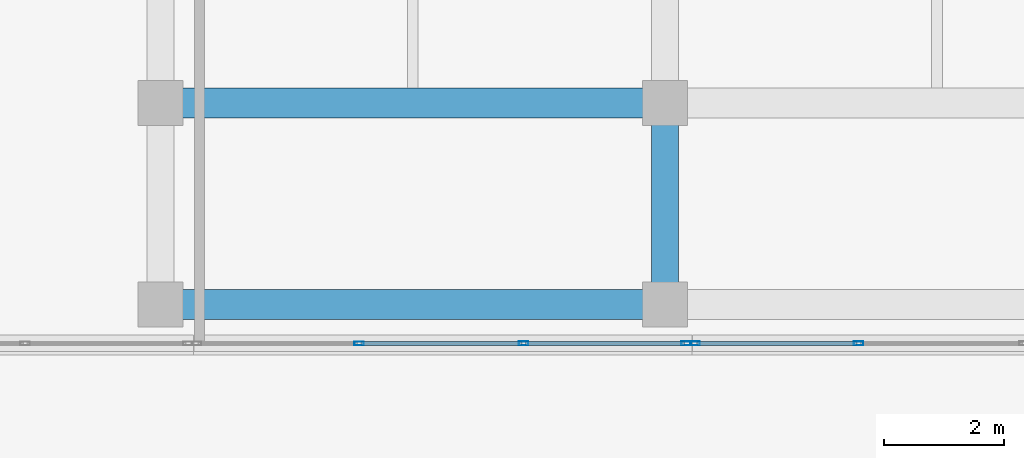
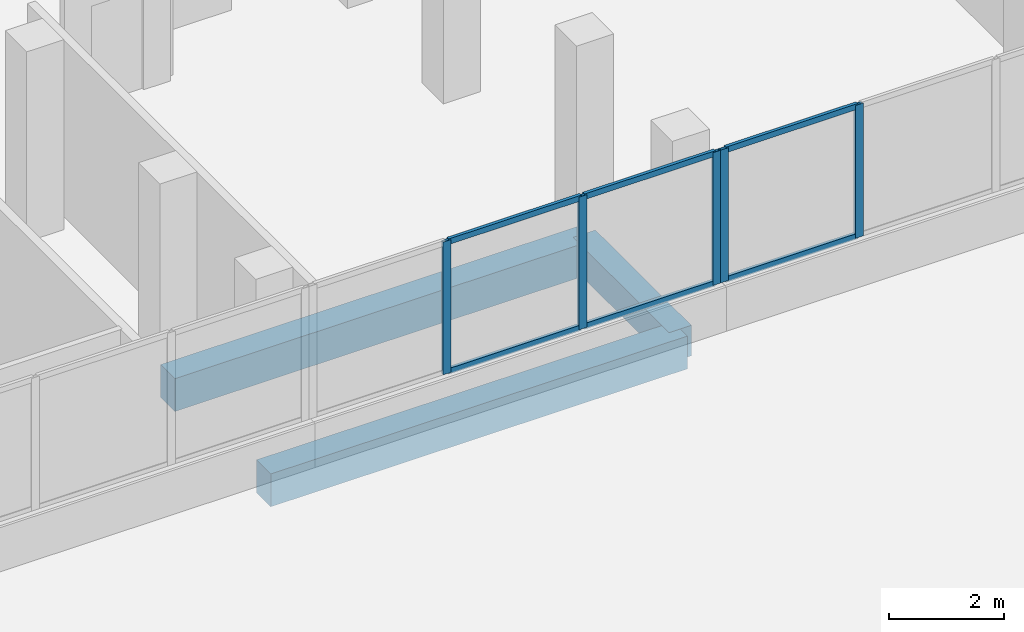
# One storey, part 58 of 101: 11 members, 3 beams, 2 elements without a shape of their own.
"""IFC4 building model written with IfcOpenShell, lengths in metres."""

import ifcopenshell
import ifcopenshell.guid

model = None  # the IFC model being written
_history = None  # IfcOwnerHistory: only IFC2X3 demands one
_inside = {}  # id of a spatial element -> (the spatial element, [elements in it])
_under = {}  # id of a project, library or spatial element -> (it, [spatial elements below it])
_declared = {}  # id of a project -> (the project, [libraries it declares])
_typed = {}  # id of a type object -> (the type object, [elements of that type])
_made_of = {}  # id of a material, layer set ... -> (it, [elements and type objects made of it])


def new_model(schema):
    """Start an empty IFC model of exactly this schema.

    Asked for "IFC4X3", IfcOpenShell would pick the latest addendum, in which some entities
    have other attributes; the version numbers below select the first issue.
    IFC2X3 requires an IfcOwnerHistory on every rooted entity: one is made here for all.
    """
    global model, _history
    if schema == "IFC4X3":
        model = ifcopenshell.file(schema_version=(4, 3, 0, 0))
    else:
        model = ifcopenshell.file(schema=schema)
    _inside.clear()
    _under.clear()
    _declared.clear()
    _typed.clear()
    _made_of.clear()
    _history = None
    if model.schema == "IFC2X3":
        org = make("IfcOrganization", Name="unknown")
        user = make(
            "IfcPersonAndOrganization",
            ThePerson=make("IfcPerson", FamilyName="unknown"),
            TheOrganization=org,
        )
        app = make(
            "IfcApplication",
            ApplicationDeveloper=org,
            Version="unknown",
            ApplicationFullName="unknown",
            ApplicationIdentifier="unknown",
        )
        _history = make(
            "IfcOwnerHistory",
            OwningUser=user,
            OwningApplication=app,
            ChangeAction="ADDED",
            CreationDate=0,
        )
    return model


def make(cls, **values):
    """One entity of the class cls with the attributes given. An attribute that is None is left unset."""
    return model.create_entity(
        cls, **{name: value for name, value in values.items() if value is not None}
    )


def rooted(cls, **values):
    """An entity with a GlobalId (a new one), such as an element, a storey or a relation."""
    return make(cls, GlobalId=ifcopenshell.guid.new(), OwnerHistory=_history, **values)


def si_unit(unit_type, name, prefix=None):
    """IfcSIUnit, for example si_unit("LENGTHUNIT", "METRE", prefix="MILLI")."""
    return make("IfcSIUnit", UnitType=unit_type, Prefix=prefix, Name=name)


def assignment(units):
    """IfcUnitAssignment: the units of a project."""
    return None if units is None else make("IfcUnitAssignment", Units=units)


def point(xyz):
    """IfcCartesianPoint."""
    return None if xyz is None else make("IfcCartesianPoint", Coordinates=xyz)


def direction(xyz):
    """IfcDirection."""
    return None if xyz is None else make("IfcDirection", DirectionRatios=xyz)


def frame(location, z_axis=None, x_axis=None):
    """IfcAxis2Placement3D, a coordinate frame: its origin and axes. An axis left out is left unset."""
    return make(
        "IfcAxis2Placement3D",
        Location=point(location),
        Axis=direction(z_axis),
        RefDirection=direction(x_axis),
    )


def frame_2d(location, x_axis=None):
    """IfcAxis2Placement2D, a coordinate frame in the plane: its origin and x axis."""
    return make(
        "IfcAxis2Placement2D", Location=point(location), RefDirection=direction(x_axis)
    )


def origin():
    """The frame at (0, 0, 0) with its axes left unset."""
    return frame((0.0, 0.0, 0.0))


def origin_2d():
    """The frame at (0, 0) in the plane with its x axis left unset."""
    return frame_2d((0.0, 0.0))


def place(relative_to, where):
    """IfcLocalPlacement: puts the frame where relative to a parent placement (None: the world)."""
    return make(
        "IfcLocalPlacement", PlacementRelTo=relative_to, RelativePlacement=where
    )


def context(
    kind, dimensions, precision=None, world=None, true_north=None, identifier=None
):
    """IfcGeometricRepresentationContext, for example the 3D "Model" context."""
    return make(
        "IfcGeometricRepresentationContext",
        ContextIdentifier=identifier,
        ContextType=kind,
        CoordinateSpaceDimension=dimensions,
        Precision=precision,
        WorldCoordinateSystem=world,
        TrueNorth=true_north,
    )


def subcontext(parent, identifier, kind, view, scale=None):
    """IfcGeometricRepresentationSubContext, for example "Body" below "Model"."""
    return make(
        "IfcGeometricRepresentationSubContext",
        ContextIdentifier=identifier,
        ContextType=kind,
        ParentContext=parent,
        TargetScale=scale,
        TargetView=view,
    )


def project(units=None, contexts=None):
    """IfcProject with its units and contexts."""
    return rooted(
        "IfcProject",
        Name="project",
        RepresentationContexts=contexts,
        UnitsInContext=assignment(units),
    )


def spatial(cls, under=None, at=None, **own):
    """A site, building, storey or space (cls), placed at a placement, below another one or the project."""
    s = rooted(cls, ObjectPlacement=at, **own)
    if under is not None:
        _under.setdefault(under.id(), (under, []))[1].append(s)
    return s


def profile(cls, at=None, kind="AREA", **sizes):
    """A parametric profile (cls). Its sizes go by their IFC names, for example OverallWidth=200.0."""
    return make(cls, ProfileType=kind, Position=at, **sizes)


def rectangle(**sizes):
    """IfcRectangleProfileDef."""
    return profile("IfcRectangleProfileDef", **sizes)


def hollow_rectangle(**sizes):
    """IfcRectangleHollowProfileDef."""
    return profile("IfcRectangleHollowProfileDef", **sizes)


def extrude(swept, where, along, depth):
    """IfcExtrudedAreaSolid: the profile swept, set in the frame where, extruded along a direction by depth."""
    return make(
        "IfcExtrudedAreaSolid",
        SweptArea=swept,
        Position=where,
        ExtrudedDirection=direction(along),
        Depth=depth,
    )


def shape(context_of_items, identifier, shape_type, items):
    """IfcShapeRepresentation: the items that make up one representation, for example the "Body"."""
    return make(
        "IfcShapeRepresentation",
        ContextOfItems=context_of_items,
        RepresentationIdentifier=identifier,
        RepresentationType=shape_type,
        Items=items,
    )


def material(Name=None, Category=None):
    """IfcMaterial."""
    return make("IfcMaterial", Name=Name, Category=Category)


def material_profile(
    of_material, cross_section, Name=None, Category=None, Priority=None
):
    """IfcMaterialProfile: a cross section and its material."""
    return make(
        "IfcMaterialProfile",
        Name=Name,
        Material=of_material,
        Profile=cross_section,
        Priority=Priority,
        Category=Category,
    )


def profile_set(profiles, Name=None, composite=None):
    """IfcMaterialProfileSet."""
    return make(
        "IfcMaterialProfileSet",
        Name=Name,
        MaterialProfiles=profiles,
        CompositeProfile=composite,
    )


def made_of(thing, what):
    """Note that an element or type object is made of a material, layer set ...; save() writes the relation."""
    if what is not None:
        _made_of.setdefault(what.id(), (what, []))[1].append(thing)
    return thing


def type_object(cls, material=None, **own):
    """A type object (cls), such as IfcWallType, which elements share."""
    return made_of(rooted(cls, **own), material)


def element(
    cls,
    number,
    at=None,
    inside=None,
    cuts=None,
    type_object=None,
    material=None,
    context=None,
    identifier="Body",
    shape_type=None,
    held_by="IfcProductDefinitionShape",
    body=None,
    shapes=None,
    **own,
):
    """One element of the class cls, such as IfcWall. Its Tag is "e" and its number.

    at: its placement. inside: the storey or other place that contains it. cuts: it is an
    opening in that element (IfcRelVoidsElement). A single representation is given by context,
    identifier, shape_type and body (its items); several are given by shapes. held_by: the class
    of the entity that holds the representations. save() writes the other relations.
    """
    e = rooted(cls, Tag="e%d" % number, ObjectPlacement=at, **own)
    if body is not None:
        shapes = [shape(context, identifier, shape_type, body)]
    if shapes is not None:
        e.Representation = make(held_by, Representations=shapes)
    if inside is not None:
        _inside.setdefault(inside.id(), (inside, []))[1].append(e)
    if cuts is not None:
        rooted(
            "IfcRelVoidsElement", RelatingBuildingElement=cuts, RelatedOpeningElement=e
        )
    if type_object is not None:
        _typed.setdefault(type_object.id(), (type_object, []))[1].append(e)
    return made_of(e, material)


def aggregate(whole, parts):
    """IfcRelAggregates: a whole, such as a stair, and the parts it consists of."""
    return rooted("IfcRelAggregates", RelatingObject=whole, RelatedObjects=parts)


def save(model, path):
    """Write the relations noted so far, then the file.

    IfcRelAggregates (storeys below a building ...), IfcRelContainedInSpatialStructure (elements
    in a storey), IfcRelDefinesByType, IfcRelAssociatesMaterial and IfcRelDeclares: one each for
    every whole, place, type object, material and project.
    """
    for whole, parts in _under.values():
        aggregate(whole, parts)
    for where, things in _inside.values():
        rooted(
            "IfcRelContainedInSpatialStructure",
            RelatedElements=things,
            RelatingStructure=where,
        )
    for kind, things in _typed.values():
        rooted("IfcRelDefinesByType", RelatedObjects=things, RelatingType=kind)
    for what, things in _made_of.values():
        rooted("IfcRelAssociatesMaterial", RelatedObjects=things, RelatingMaterial=what)
    for by, libraries in _declared.values():
        rooted("IfcRelDeclares", RelatingContext=by, RelatedDefinitions=libraries)
    model.write(path)


model = new_model("IFC4")

# Units and contexts
model_context = context("Model", 3, precision=1e-05, world=origin(), true_north=direction((0.0, 1.0)))
body_context = subcontext(model_context, "Body", "Model", "MODEL_VIEW")
ifc_project = project(units=[si_unit("LENGTHUNIT", "METRE"), si_unit("AREAUNIT", "SQUARE_METRE"), si_unit("VOLUMEUNIT", "CUBIC_METRE"), si_unit("PLANEANGLEUNIT", "RADIAN"), si_unit("MASSUNIT", "GRAM", prefix="KILO")], contexts=[model_context])

# Site, building, storey
site_placement = place(None, origin())
site = spatial("IfcSite", under=ifc_project, at=site_placement, CompositionType="ELEMENT")
building_placement = place(site_placement, origin())
building = spatial("IfcBuilding", under=site, at=building_placement, Name="Selatvlak General Hospital", CompositionType="ELEMENT")
storey_placement = place(building_placement, frame((0.0, 0.0, 19.199951171875)))
storey = spatial("IfcBuildingStorey", under=building, at=storey_placement, Name="L04", CompositionType="ELEMENT", Elevation=19.199951171875)

# Beams
ifc_material_1 = material(Name="Concrete C40/50", Category="concrete")
ifc_material_profile_1 = material_profile(ifc_material_1, rectangle(XDim=0.5, YDim=0.699951171875, at=origin_2d()), Name="RC-BM 500x700")
ifc_profile_set_1 = profile_set([ifc_material_profile_1], Name="Concrete C40/50")
beam_type_1 = type_object("IfcBeamType", Name="BM-G03", PredefinedType="BEAM", material=ifc_profile_set_1)
for number, where, z_axis, x_axis, name in (
    (1, (156.550048828125, 64.64990234375, -0.655029296875), (1.0, 0.0, 0.0), (0.0, 1.0, 0.0), "Beam BMR-L04-1506"),
    (2, (156.550048828125, 68.0, -0.655029296875), (1.0, 0.0, 0.0), (0.0, 1.0, 0.0), "Beam BMR-L04-1513"),
):
    element("IfcBeam", number, at=place(storey_placement, frame(where, z_axis=z_axis, x_axis=x_axis)), inside=storey, type_object=beam_type_1, Name=name, PredefinedType="BEAM", context=body_context, shape_type="SweptSolid", body=[
        extrude(rectangle(XDim=0.5, YDim=0.699951171875, at=origin_2d()), origin(), (0.0, 0.0, 1.0), 8.39990234375),
    ])
ifc_material_profile_2 = material_profile(ifc_material_1, rectangle(XDim=0.449951171875, YDim=0.64990234375, at=origin_2d()), Name="RC-BM 450x650")
ifc_profile_set_2 = profile_set([ifc_material_profile_2], Name="Concrete C40/50")
beam_type_2 = type_object("IfcBeamType", Name="BM-G04", PredefinedType="BEAM", material=ifc_profile_set_2)
beam_placement = place(storey_placement, frame((164.949951171875, 64.64990234375, -0.6298828125), z_axis=(0.0, 1.0, 0.0), x_axis=(-1.0, 0.0, 0.0)))
element("IfcBeam", 3, at=beam_placement, inside=storey, type_object=beam_type_2, Name="Beam BMR-L04-1749", PredefinedType="BEAM", context=body_context, shape_type="SweptSolid", body=[
    extrude(rectangle(XDim=0.449951171875, YDim=0.64990234375, at=origin_2d()), origin(), (0.0, 0.0, 1.0), 3.35009765625),
])

# Curtain wall, members
ifc_material_2 = material(Name="Solar-control Low-E double glazing", Category="glass")
curtain_wall_type_1 = type_object("IfcCurtainWallType", Name="CW-CW-01", PredefinedType="USERDEFINED", material=ifc_material_2)
curtain_wall_1_placement = place(storey_placement, origin())
curtain_wall_1 = element("IfcCurtainWall", 4, at=curtain_wall_1_placement, inside=storey, type_object=curtain_wall_type_1, Name="Glazed facade curtain wall CW-L04-0507", ObjectType="UNITISED CURTAIN WALL", PredefinedType="USERDEFINED")
ifc_material_3 = material(Name="Dark anodised aluminium mullion", Category="aluminium")
ifc_material_profile_3 = material_profile(ifc_material_3, hollow_rectangle(XDim=0.06494140625, YDim=0.159912109375, WallThickness=0.00390625, at=origin_2d()), Name="AL-MUL 65x160x4")
ifc_profile_set_3 = profile_set([ifc_material_profile_3], Name="Dark anodised aluminium mullion")
member_type_1 = type_object("IfcMemberType", Name="CWM-01", PredefinedType="MULLION", material=ifc_profile_set_3)
member_1_placement = place(storey_placement, frame((168.171630859375, 64.0009765625, 0.93994140625), z_axis=(0.0, 0.0, 1.0), x_axis=(0.0, -1.0, 0.0)))
member_1 = element("IfcMember", 5, at=member_1_placement, type_object=member_type_1, Name="CW-01 mullion 3", PredefinedType="MULLION", context=body_context, shape_type="SweptSolid", body=[
    extrude(hollow_rectangle(XDim=0.06494140625, YDim=0.159912109375, WallThickness=0.00390625, at=origin_2d()), origin(), (0.0, 0.0, 1.0), 2.830078125),
])
member_2_placement = place(storey_placement, frame((165.447509765625, 64.0009765625, 0.93994140625), z_axis=(0.0, 0.0, 1.0), x_axis=(0.0, -1.0, 0.0)))
member_2 = element("IfcMember", 6, at=member_2_placement, type_object=member_type_1, Name="CW-01 mullion 4", PredefinedType="MULLION", context=body_context, shape_type="SweptSolid", body=[
    extrude(hollow_rectangle(XDim=0.06494140625, YDim=0.159912109375, WallThickness=0.00390625, at=origin_2d()), origin(), (0.0, 0.0, 1.0), 2.830078125),
])

curtain_wall_type_2 = type_object("IfcCurtainWallType", Name="CW-CW-02", PredefinedType="USERDEFINED", material=ifc_material_2)
curtain_wall_2_placement = place(storey_placement, origin())
curtain_wall_2 = element("IfcCurtainWall", 7, at=curtain_wall_2_placement, inside=storey, type_object=curtain_wall_type_2, Name="Glazed facade curtain wall CW-L04-0508", ObjectType="UNITISED CURTAIN WALL", PredefinedType="USERDEFINED")
member_3_placement = place(storey_placement, frame((165.302490234375, 64.0009765625, 0.93994140625), z_axis=(0.0, 0.0, 1.0), x_axis=(0.00012166931, -0.999999992598, 0.0)))
member_3 = element("IfcMember", 8, at=member_3_placement, type_object=member_type_1, Name="CW-02 mullion 1", PredefinedType="MULLION", context=body_context, shape_type="SweptSolid", body=[
    extrude(hollow_rectangle(XDim=0.06494140625, YDim=0.159912109375, WallThickness=0.00390625, at=origin_2d()), origin(), (0.0, 0.0, 1.0), 2.830078125),
])
member_4_placement = place(storey_placement, frame((162.59521484375, 64.000732421875, 0.93994140625), z_axis=(0.0, 0.0, 1.0), x_axis=(0.00012166931, -0.999999992598, 0.0)))
member_4 = element("IfcMember", 9, at=member_4_placement, type_object=member_type_1, Name="CW-02 mullion 2", PredefinedType="MULLION", context=body_context, shape_type="SweptSolid", body=[
    extrude(hollow_rectangle(XDim=0.06494140625, YDim=0.159912109375, WallThickness=0.00390625, at=origin_2d()), origin(), (0.0, 0.0, 1.0), 2.830078125),
])
member_5_placement = place(storey_placement, frame((159.855712890625, 64.000244140625, 0.93994140625), z_axis=(0.0, 0.0, 1.0), x_axis=(0.00012166931, -0.999999992598, 0.0)))
member_5 = element("IfcMember", 10, at=member_5_placement, type_object=member_type_1, Name="CW-02 mullion 3", PredefinedType="MULLION", context=body_context, shape_type="SweptSolid", body=[
    extrude(hollow_rectangle(XDim=0.06494140625, YDim=0.159912109375, WallThickness=0.00390625, at=origin_2d()), origin(), (0.0, 0.0, 1.0), 2.830078125),
])

# Member
ifc_material_profile_4 = material_profile(ifc_material_3, hollow_rectangle(XDim=0.06494140625, YDim=0.1201171875, WallThickness=0.00390625, at=origin_2d()), Name="AL-TRN 65x120x4")
ifc_profile_set_4 = profile_set([ifc_material_profile_4], Name="Dark anodised aluminium mullion")
member_type_2 = type_object("IfcMemberType", Name="CWT-01", PredefinedType="USERDEFINED", material=ifc_profile_set_4)
member_6_placement = place(storey_placement, frame((168.13916015625, 64.0009765625, 0.97265625), z_axis=(-1.0, 0.0, 0.0), x_axis=(0.0, -1.0, 0.0)))
member_6 = element("IfcMember", 11, at=member_6_placement, type_object=member_type_2, Name="CW-01 transom 3.1", ObjectType="TRANSOM", PredefinedType="USERDEFINED", context=body_context, shape_type="SweptSolid", body=[
    extrude(hollow_rectangle(XDim=0.06494140625, YDim=0.1201171875, WallThickness=0.00390625, at=origin_2d()), origin(), (0.0, 0.0, 1.0), 2.6591796875),
])

member_7_placement = place(storey_placement, frame((168.13916015625, 64.0009765625, 3.737548828125), z_axis=(-1.0, 0.0, 0.0), x_axis=(0.0, -1.0, 0.0)))
member_7 = element("IfcMember", 12, at=member_7_placement, type_object=member_type_2, Name="CW-01 transom 3.2", ObjectType="TRANSOM", PredefinedType="USERDEFINED", context=body_context, shape_type="SweptSolid", body=[
    extrude(hollow_rectangle(XDim=0.06494140625, YDim=0.1201171875, WallThickness=0.00390625, at=origin_2d()), origin(), (0.0, 0.0, 1.0), 2.6591796875),
])

aggregate(curtain_wall_1, [member_1, member_2, member_6, member_7])

member_8_placement = place(storey_placement, frame((165.27001953125, 64.0009765625, 0.97265625), z_axis=(-0.999999995731, -9.2404361e-05, 0.0), x_axis=(9.2404361e-05, -0.999999995731, 0.0)))
member_8 = element("IfcMember", 13, at=member_8_placement, type_object=member_type_2, Name="CW-02 transom 1.1", ObjectType="TRANSOM", PredefinedType="USERDEFINED", context=body_context, shape_type="SweptSolid", body=[
    extrude(hollow_rectangle(XDim=0.06494140625, YDim=0.1201171875, WallThickness=0.00390625, at=origin_2d()), origin(), (0.0, 0.0, 1.0), 2.64208984375),
])

member_9_placement = place(storey_placement, frame((165.27001953125, 64.0009765625, 3.737548828125), z_axis=(-0.999999995731, -9.2404361e-05, 0.0), x_axis=(9.2404361e-05, -0.999999995731, 0.0)))
member_9 = element("IfcMember", 14, at=member_9_placement, type_object=member_type_2, Name="CW-02 transom 1.2", ObjectType="TRANSOM", PredefinedType="USERDEFINED", context=body_context, shape_type="SweptSolid", body=[
    extrude(hollow_rectangle(XDim=0.06494140625, YDim=0.1201171875, WallThickness=0.00390625, at=origin_2d()), origin(), (0.0, 0.0, 1.0), 2.64208984375),
])

member_10_placement = place(storey_placement, frame((162.562744140625, 64.000732421875, 0.97265625), z_axis=(-0.999999983335, -0.000182565036, 0.0), x_axis=(0.000182565036, -0.999999983335, 0.0)))
member_10 = element("IfcMember", 15, at=member_10_placement, type_object=member_type_2, Name="CW-02 transom 2.1", ObjectType="TRANSOM", PredefinedType="USERDEFINED", context=body_context, shape_type="SweptSolid", body=[
    extrude(hollow_rectangle(XDim=0.06494140625, YDim=0.1201171875, WallThickness=0.00390625, at=origin_2d()), origin(), (0.0, 0.0, 1.0), 2.674560546875),
])

member_11_placement = place(storey_placement, frame((162.562744140625, 64.000732421875, 3.737548828125), z_axis=(-0.999999983335, -0.000182565036, 0.0), x_axis=(0.000182565036, -0.999999983335, 0.0)))
member_11 = element("IfcMember", 16, at=member_11_placement, type_object=member_type_2, Name="CW-02 transom 2.2", ObjectType="TRANSOM", PredefinedType="USERDEFINED", context=body_context, shape_type="SweptSolid", body=[
    extrude(hollow_rectangle(XDim=0.06494140625, YDim=0.1201171875, WallThickness=0.00390625, at=origin_2d()), origin(), (0.0, 0.0, 1.0), 2.674560546875),
])

aggregate(curtain_wall_2, [member_3, member_4, member_5, member_8, member_9, member_10, member_11])

save(model, "model.ifc")
